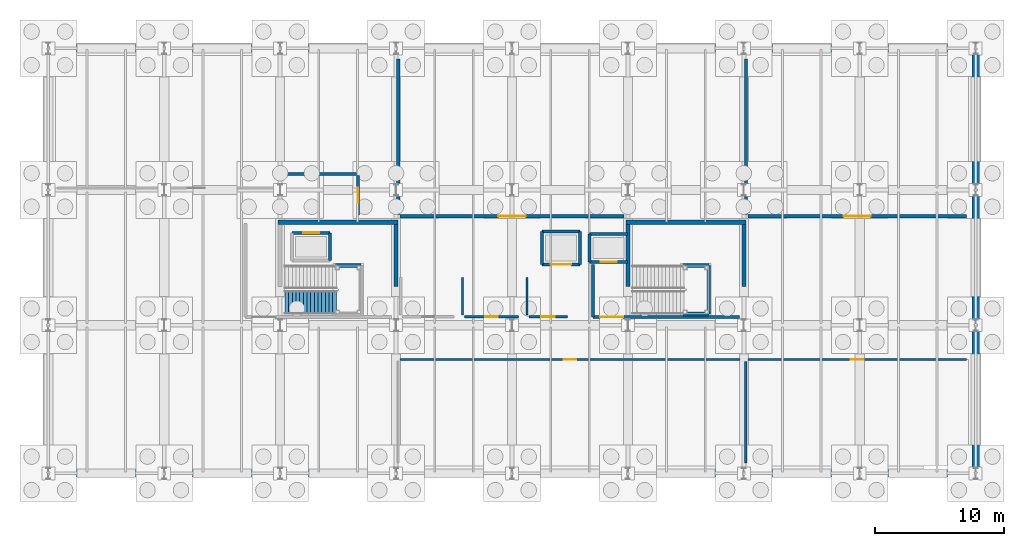
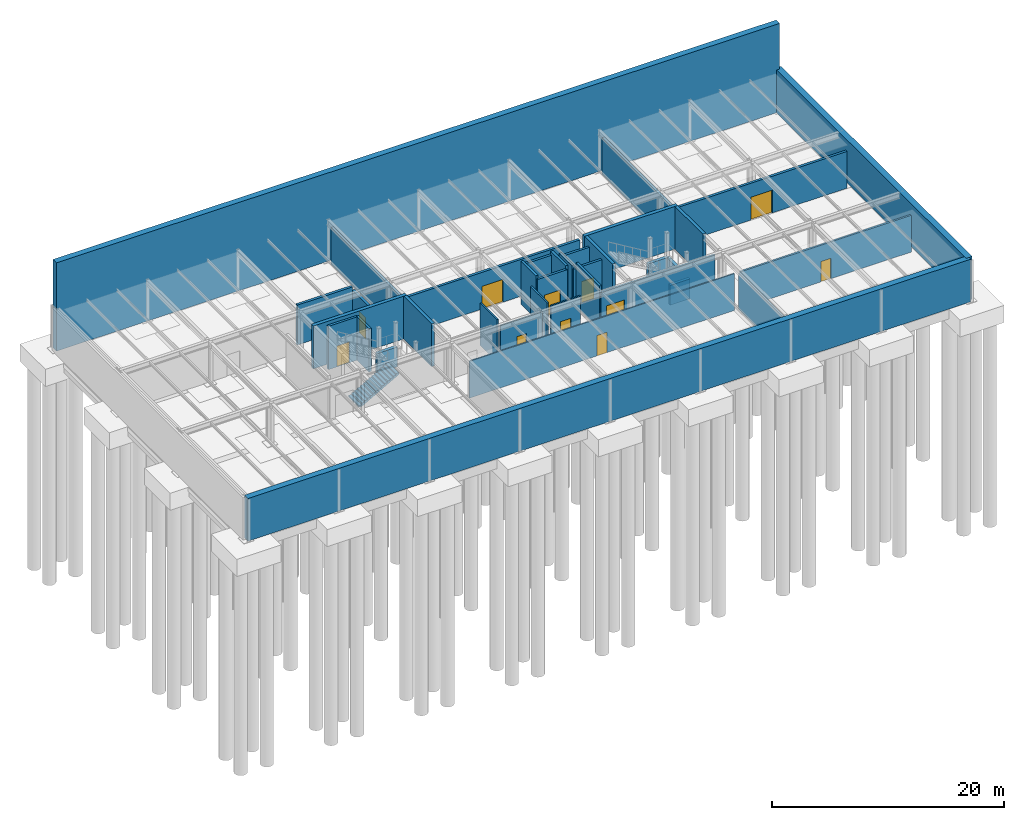
# One storey, part 9 of 19: 36 walls, 11 doors, 1 stair flight, 11 openings, 1 element without a shape of its own.
"""IFC4 building model written with IfcOpenShell, lengths in metres."""

from ifc_helpers import new_model, si_unit, direction, frame, frame_2d, origin, place, context, subcontext, project, spatial, polyline, rectangle, outline, extrude, material, layer, layer_set, type_object, element, fill, aggregate, save


model = new_model("IFC4")

# Units and contexts
model_context = context("Model", 3, precision=1e-05, world=origin(), true_north=direction((0.0, 1.0)))
body_context = subcontext(model_context, "Body", "Model", "MODEL_VIEW")
ifc_project = project(units=[si_unit("LENGTHUNIT", "METRE"), si_unit("AREAUNIT", "SQUARE_METRE"), si_unit("VOLUMEUNIT", "CUBIC_METRE"), si_unit("PLANEANGLEUNIT", "RADIAN"), si_unit("MASSUNIT", "GRAM", prefix="KILO")], contexts=[model_context])

# Site, building, storey
site_placement = place(None, origin())
site = spatial("IfcSite", under=ifc_project, at=site_placement, CompositionType="ELEMENT")
building_placement = place(site_placement, origin())
building = spatial("IfcBuilding", under=site, at=building_placement, Name="Marlcrest Central Station", CompositionType="ELEMENT")
storey_placement = place(building_placement, frame((0.0, 0.0, -4.800048828125)))
storey = spatial("IfcBuildingStorey", under=building, at=storey_placement, Name="B1", CompositionType="ELEMENT", Elevation=-4.800048828125)

# Wall, opening, door
ifc_material_1 = material(Name="Acoustic steel-stud gypsum board partition", Category="steel")
ifc_layer_1 = layer(ifc_material_1, 0.1201171875, Name="PT-01")
ifc_layer_set_1 = layer_set([ifc_layer_1], Name="Acoustic steel-stud gypsum board partition")
wall_type_1 = type_object("IfcWallType", Name="PT-01", PredefinedType="PARTITIONING", material=ifc_layer_set_1)
wall_1_placement = place(storey_placement, frame((27.31005859375, 107.840087890625, 0.0), z_axis=(0.0, 0.0, 1.0), x_axis=(1.0, 0.0, 0.0)))
wall_1 = element("IfcWall", 1, at=wall_1_placement, inside=storey, type_object=wall_type_1, Name="iwall-B1-00006", PredefinedType="PARTITIONING", context=body_context, shape_type="SweptSolid", body=[
    extrude(rectangle(XDim=26.3798828125, YDim=0.1201171875, at=frame_2d((13.18994140625, 0.0))), origin(), (0.0, 0.0, 1.0), 3.8701171875),
])
opening_1_placement = place(wall_1_placement, frame((12.68994140625, 0.0, 0.0)))
opening_1 = element("IfcOpeningElement", 2, at=opening_1_placement, cuts=wall_1, Name="Opening ID-02", PredefinedType="OPENING", context=body_context, shape_type="SweptSolid", body=[
    extrude(rectangle(XDim=1.0, YDim=2.14990234375, at=frame_2d((0.5, 1.074951171875))), frame((0.0, 0.070068359375, 0.0), z_axis=(0.0, -1.0, 0.0), x_axis=(1.0, 0.0, 0.0)), (0.0, 0.0, 1.0), 0.14013671875),
])
ifc_material_2 = material(Name="Solid-core hardwood office door", Category="wood")
door_type_1 = type_object("IfcDoorType", Name="ID-02", OperationType="NOTDEFINED", PredefinedType="DOOR", material=ifc_material_2)
door_1_placement = place(opening_1_placement, origin())
door_1 = element("IfcDoor", 3, at=door_1_placement, inside=storey, type_object=door_type_1, Name="B1-06 0004", OperationType="SINGLE_SWING_LEFT", OverallHeight=2.14990234375, OverallWidth=1.0, PredefinedType="DOOR", context=body_context, shape_type="SweptSolid", body=[
    extrude(rectangle(XDim=1.0, YDim=2.14990234375, at=frame_2d((0.5, 1.074951171875))), frame((0.0, 0.02490234375, 0.0), z_axis=(0.0, -1.0, 0.0), x_axis=(1.0, 0.0, 0.0)), (0.0, 0.0, 1.0), 0.050048828125),
])
fill(opening_1, door_1)

ifc_material_3 = material(Name="Moisture-resistant tiled sanitary partition")
ifc_layer_2 = layer(ifc_material_3, 0.159912109375, Name="PT-03")
ifc_layer_set_2 = layer_set([ifc_layer_2], Name="Moisture-resistant tiled sanitary partition")
wall_type_2 = type_object("IfcWallType", Name="PT-03", PredefinedType="PARTITIONING", material=ifc_layer_set_2)
wall_2_placement = place(storey_placement, frame((36.489990234375, 111.159912109375, 0.0), z_axis=(0.0, 0.0, 1.0), x_axis=(-1.0, 0.0, 0.0)))
wall_2 = element("IfcWall", 4, at=wall_2_placement, inside=storey, type_object=wall_type_2, Name="iwall-B1-00014", PredefinedType="PARTITIONING", context=body_context, shape_type="SweptSolid", body=[
    extrude(rectangle(XDim=4.179931640625, YDim=0.159912109375, at=frame_2d((2.08984375, 0.0))), origin(), (0.0, 0.0, 1.0), 3.8701171875),
])
opening_2_placement = place(wall_2_placement, frame((1.614990234375, 0.0, 0.0)))
opening_2 = element("IfcOpeningElement", 5, at=opening_2_placement, cuts=wall_2, Name="Opening ID-01", PredefinedType="OPENING", context=body_context, shape_type="SweptSolid", body=[
    extrude(rectangle(XDim=0.949951171875, YDim=2.14990234375, at=frame_2d((0.47509765625, 1.074951171875))), frame((0.0, 0.08984375, 0.0), z_axis=(0.0, -1.0, 0.0), x_axis=(1.0, 0.0, 0.0)), (0.0, 0.0, 1.0), 0.179931640625),
])
ifc_material_4 = material(Name="Solid-core hardwood acoustic door", Category="wood")
door_type_2 = type_object("IfcDoorType", Name="ID-01", OperationType="NOTDEFINED", PredefinedType="DOOR", material=ifc_material_4)
door_2_placement = place(opening_2_placement, origin())
door_2 = element("IfcDoor", 6, at=door_2_placement, inside=storey, type_object=door_type_2, Name="B1-WC2 0008", OperationType="SINGLE_SWING_LEFT", OverallHeight=2.14990234375, OverallWidth=0.949951171875, PredefinedType="DOOR", context=body_context, shape_type="SweptSolid", body=[
    extrude(rectangle(XDim=0.949951171875, YDim=2.14990234375, at=frame_2d((0.47509765625, 1.074951171875))), frame((0.0, 0.02490234375, 0.0), z_axis=(0.0, -1.0, 0.0), x_axis=(1.0, 0.0, 0.0)), (0.0, 0.0, 1.0), 0.050048828125),
])
fill(opening_2, door_2)

# Wall
wall_3_placement = place(storey_placement, frame((32.159912109375, 111.31005859375, 0.0), z_axis=(0.0, 0.0, 1.0), x_axis=(0.0, 1.0, 0.0)))
element("IfcWall", 7, at=wall_3_placement, inside=storey, type_object=wall_type_2, Name="iwall-B1-00015", PredefinedType="PARTITIONING", context=body_context, shape_type="SweptSolid", body=[
    extrude(rectangle(XDim=2.8798828125, YDim=0.159912109375, at=frame_2d((1.43994140625, 0.0))), origin(), (0.0, 0.0, 1.0), 4.449951171875),
])

# Wall, opening, door
wall_4_placement = place(storey_placement, frame((40.2900390625, 111.159912109375, 0.0), z_axis=(0.0, 0.0, 1.0), x_axis=(-1.0, 0.0, 0.0)))
wall_4 = element("IfcWall", 8, at=wall_4_placement, inside=storey, type_object=wall_type_2, Name="iwall-B1-00016", PredefinedType="PARTITIONING", context=body_context, shape_type="SweptSolid", body=[
    extrude(rectangle(XDim=2.97998046875, YDim=0.159912109375, at=frame_2d((1.489990234375, 0.0))), origin(), (0.0, 0.0, 1.0), 4.199951171875),
])
opening_3_placement = place(wall_4_placement, frame((0.965087890625, 0.0, 0.0)))
opening_3 = element("IfcOpeningElement", 9, at=opening_3_placement, cuts=wall_4, Name="Opening ID-03", PredefinedType="OPENING", context=body_context, shape_type="SweptSolid", body=[
    extrude(rectangle(XDim=1.050048828125, YDim=2.199951171875, at=frame_2d((0.52490234375, 1.10009765625))), frame((0.0, 0.08984375, 0.0), z_axis=(0.0, -1.0, 0.0), x_axis=(1.0, 0.0, 0.0)), (0.0, 0.0, 1.0), 0.179931640625),
])
ifc_material_5 = material(Name="Accessible sanitary outward-opening door")
door_type_3 = type_object("IfcDoorType", Name="ID-03", OperationType="NOTDEFINED", PredefinedType="DOOR", material=ifc_material_5)
door_3_placement = place(opening_3_placement, origin())
door_3 = element("IfcDoor", 10, at=door_3_placement, inside=storey, type_object=door_type_3, Name="B1-WCA 0009", OperationType="SINGLE_SWING_RIGHT", OverallHeight=2.199951171875, OverallWidth=1.050048828125, PredefinedType="DOOR", context=body_context, shape_type="SweptSolid", body=[
    extrude(rectangle(XDim=1.050048828125, YDim=2.199951171875, at=frame_2d((0.52490234375, 1.10009765625))), frame((0.0, 0.02490234375, 0.0), z_axis=(0.0, -1.0, 0.0), x_axis=(1.0, 0.0, 0.0)), (0.0, 0.0, 1.0), 0.050048828125),
])
fill(opening_3, door_3)

# Wall
wall_5_placement = place(storey_placement, frame((37.159912109375, 111.31005859375, 0.0), z_axis=(0.0, 0.0, 1.0), x_axis=(0.0, 1.0, 0.0)))
element("IfcWall", 11, at=wall_5_placement, inside=storey, type_object=wall_type_2, Name="iwall-B1-00017", PredefinedType="PARTITIONING", context=body_context, shape_type="SweptSolid", body=[
    extrude(rectangle(XDim=2.8798828125, YDim=0.159912109375, at=frame_2d((1.43994140625, 0.0))), origin(), (0.0, 0.0, 1.0), 4.449951171875),
])

# Wall, opening, door
ifc_material_6 = material(Name="Fire-rated corridor blockwork partition", Category="masonry")
ifc_layer_3 = layer(ifc_material_6, 0.179931640625, Name="PT-04")
ifc_layer_set_3 = layer_set([ifc_layer_3], Name="Fire-rated corridor blockwork partition")
wall_type_3 = type_object("IfcWallType", Name="PT-04", PredefinedType="PARTITIONING", material=ifc_layer_set_3)
wall_6_placement = place(storey_placement, frame((54.31005859375, 107.840087890625, 0.0), z_axis=(0.0, 0.0, 1.0), x_axis=(1.0, 0.0, 0.0)))
wall_6 = element("IfcWall", 12, at=wall_6_placement, inside=storey, type_object=wall_type_3, Name="iwall-B1-00008", PredefinedType="PARTITIONING", context=body_context, shape_type="SweptSolid", body=[
    extrude(rectangle(XDim=16.97998046875, YDim=0.179931640625, at=frame_2d((8.489990234375, 0.0))), origin(), (0.0, 0.0, 1.0), 3.8701171875),
])
opening_4_placement = place(wall_6_placement, frame((7.989990234375, 0.0, 0.0)))
opening_4 = element("IfcOpeningElement", 13, at=opening_4_placement, cuts=wall_6, Name="Opening ID-02", PredefinedType="OPENING", context=body_context, shape_type="SweptSolid", body=[
    extrude(rectangle(XDim=1.0, YDim=2.14990234375, at=frame_2d((0.5, 1.074951171875))), frame((0.0, 0.099853515625, 0.0), z_axis=(0.0, -1.0, 0.0), x_axis=(1.0, 0.0, 0.0)), (0.0, 0.0, 1.0), 0.199951171875),
])
door_4_placement = place(opening_4_placement, origin())
door_4 = element("IfcDoor", 14, at=door_4_placement, inside=storey, type_object=door_type_1, Name="B1-07 0005", OperationType="SINGLE_SWING_RIGHT", OverallHeight=2.14990234375, OverallWidth=1.0, PredefinedType="DOOR", context=body_context, shape_type="SweptSolid", body=[
    extrude(rectangle(XDim=1.0, YDim=2.14990234375, at=frame_2d((0.5, 1.074951171875))), frame((0.0, 0.02490234375, 0.0), z_axis=(0.0, -1.0, 0.0), x_axis=(1.0, 0.0, 0.0)), (0.0, 0.0, 1.0), 0.050048828125),
])
fill(opening_4, door_4)

# Walls
wall_7_placement = place(storey_placement, frame((54.159912109375, 99.81005859375, 0.0), z_axis=(0.0, 0.0, 1.0), x_axis=(0.0, 1.0, 0.0)))
element("IfcWall", 15, at=wall_7_placement, inside=storey, type_object=wall_type_3, Name="iwall-B1-00009", PredefinedType="PARTITIONING", context=body_context, shape_type="SweptSolid", body=[
    extrude(rectangle(XDim=7.8798828125, YDim=0.179931640625, at=frame_2d((3.93994140625, 0.0))), origin(), (0.0, 0.0, 1.0), 3.8701171875),
])
ifc_material_7 = material(Name="Concrete C40/50", Category="concrete")
ifc_layer_4 = layer(ifc_material_7, 0.60009765625, Name="RW-04")
ifc_layer_set_4 = layer_set([ifc_layer_4], Name="Concrete C40/50")
wall_type_4 = type_object("IfcWallType", Name="RW-04", PredefinedType="USERDEFINED", material=ifc_layer_set_4)
wall_8_placement = place(storey_placement, frame((0.0, 99.0, 0.0), z_axis=(0.0, 0.0, 1.0), x_axis=(1.0, 0.0, 0.0)))
element("IfcWall", 16, at=wall_8_placement, inside=storey, type_object=wall_type_4, Name="swall-B1-0001", ObjectType="RETAINING_WALL", PredefinedType="USERDEFINED", context=body_context, shape_type="SweptSolid", body=[
    extrude(rectangle(XDim=72.0, YDim=0.60009765625, at=frame_2d((36.0, 0.0))), origin(), (0.0, 0.0, 1.0), 4.5),
])
wall_9_placement = place(storey_placement, frame((72.0, 99.0, 0.0), z_axis=(0.0, 0.0, 1.0), x_axis=(0.0, 1.0, 0.0)))
element("IfcWall", 17, at=wall_9_placement, inside=storey, type_object=wall_type_4, Name="swall-B1-0002", ObjectType="RETAINING_WALL", PredefinedType="USERDEFINED", context=body_context, shape_type="SweptSolid", body=[
    extrude(rectangle(XDim=33.0, YDim=0.60009765625, at=frame_2d((16.5, 0.0))), origin(), (0.0, 0.0, 1.0), 4.5),
])
wall_10_placement = place(storey_placement, frame((72.0, 132.0, 0.0), z_axis=(0.0, 0.0, 1.0), x_axis=(-1.0, 0.0, 0.0)))
element("IfcWall", 18, at=wall_10_placement, inside=storey, type_object=wall_type_4, Name="swall-B1-0003", ObjectType="RETAINING_WALL", PredefinedType="USERDEFINED", context=body_context, shape_type="SweptSolid", body=[
    extrude(rectangle(XDim=72.0, YDim=0.60009765625, at=frame_2d((36.0, 0.0))), origin(), (0.0, 0.0, 1.0), 9.300048828125),
])

# Wall, opening, door
ifc_layer_5 = layer(ifc_material_7, 0.22998046875, Name="SHW-01")
ifc_layer_set_5 = layer_set([ifc_layer_5], Name="Concrete C40/50")
wall_type_5 = type_object("IfcWallType", Name="SHW-01", PredefinedType="SOLIDWALL", material=ifc_layer_set_5)
wall_11_placement = place(storey_placement, frame((18.919921875, 117.679931640625, 0.0), z_axis=(0.0, 0.0, 1.0), x_axis=(1.0, 0.0, 0.0)))
wall_11 = element("IfcWall", 19, at=wall_11_placement, inside=storey, type_object=wall_type_5, Name="iwall-B1-00343", PredefinedType="SOLIDWALL", context=body_context, shape_type="SweptSolid", body=[
    extrude(rectangle(XDim=2.9599609375, YDim=0.22998046875, at=frame_2d((1.47998046875, 0.0))), origin(), (0.0, 0.0, 1.0), 4.56005859375),
])
opening_5_placement = place(wall_11_placement, frame((0.85498046875, 0.0, 0.0)))
opening_5 = element("IfcOpeningElement", 20, at=opening_5_placement, cuts=wall_11, Name="Opening LD-02", PredefinedType="OPENING", context=body_context, shape_type="SweptSolid", body=[
    extrude(rectangle(XDim=1.25, YDim=2.199951171875, at=frame_2d((0.625, 1.10009765625))), frame((0.0, 0.125, 0.0), z_axis=(0.0, -1.0, 0.0), x_axis=(1.0, 0.0, 0.0)), (0.0, 0.0, 1.0), 0.25),
])
ifc_material_8 = material(Name="Stainless steel stretcher/firefighting lift landing door", Category="steel")
door_type_4 = type_object("IfcDoorType", Name="LD-02", OperationType="DOUBLE_DOOR_SLIDING", PredefinedType="DOOR", material=ifc_material_8)
door_5_placement = place(opening_5_placement, origin())
door_5 = element("IfcDoor", 21, at=door_5_placement, inside=storey, type_object=door_type_4, Name="LF-FF1 Lift Landing Door 0156", OperationType="DOUBLE_DOOR_SLIDING", OverallHeight=2.199951171875, OverallWidth=1.25, PredefinedType="DOOR", context=body_context, shape_type="SweptSolid", body=[
    extrude(rectangle(XDim=1.25, YDim=2.199951171875, at=frame_2d((0.625, 1.10009765625))), frame((0.0, 0.02490234375, 0.0), z_axis=(0.0, -1.0, 0.0), x_axis=(1.0, 0.0, 0.0)), (0.0, 0.0, 1.0), 0.050048828125),
])
fill(opening_5, door_5)

# Walls
wall_12_placement = place(storey_placement, frame((21.8798828125, 117.679931640625, 0.0), z_axis=(0.0, 0.0, 1.0), x_axis=(0.0, -1.0, 0.0)))
element("IfcWall", 22, at=wall_12_placement, inside=storey, type_object=wall_type_5, Name="iwall-B1-00346", PredefinedType="SOLIDWALL", context=body_context, shape_type="SweptSolid", body=[
    extrude(rectangle(XDim=2.159912109375, YDim=0.22998046875, at=frame_2d((1.080078125, 0.0))), origin(), (0.0, 0.0, 1.0), 4.56005859375),
])
wall_13_placement = place(storey_placement, frame((42.02001953125, 117.580078125, 0.0), z_axis=(0.0, 0.0, 1.0), x_axis=(1.0, 0.0, 0.0)))
element("IfcWall", 23, at=wall_13_placement, inside=storey, type_object=wall_type_5, Name="iwall-B1-00371", PredefinedType="SOLIDWALL", context=body_context, shape_type="SweptSolid", body=[
    extrude(rectangle(XDim=2.9599609375, YDim=0.22998046875, at=frame_2d((1.47998046875, 0.0))), origin(), (0.0, 0.0, 1.0), 3.8701171875),
])

# Wall, opening, door
wall_14_placement = place(storey_placement, frame((44.97998046875, 115.419921875, 0.0), z_axis=(0.0, 0.0, 1.0), x_axis=(-1.0, 0.0, 0.0)))
wall_14 = element("IfcWall", 24, at=wall_14_placement, inside=storey, type_object=wall_type_5, Name="iwall-B1-00372", PredefinedType="SOLIDWALL", context=body_context, shape_type="SweptSolid", body=[
    extrude(rectangle(XDim=2.9599609375, YDim=0.22998046875, at=frame_2d((1.47998046875, 0.0))), origin(), (0.0, 0.0, 1.0), 3.8701171875),
])
opening_6_placement = place(wall_14_placement, frame((0.85498046875, 0.0, 0.0)))
opening_6 = element("IfcOpeningElement", 25, at=opening_6_placement, cuts=wall_14, Name="Opening LD-02", PredefinedType="OPENING", context=body_context, shape_type="SweptSolid", body=[
    extrude(rectangle(XDim=1.25, YDim=2.199951171875, at=frame_2d((0.625, 1.10009765625))), frame((0.0, 0.125, 0.0), z_axis=(0.0, -1.0, 0.0), x_axis=(1.0, 0.0, 0.0)), (0.0, 0.0, 1.0), 0.25),
])
door_6_placement = place(opening_6_placement, origin())
door_6 = element("IfcDoor", 26, at=door_6_placement, inside=storey, type_object=door_type_4, Name="LF-O1 Lift Landing Door 0163", OperationType="DOUBLE_DOOR_SLIDING", OverallHeight=2.199951171875, OverallWidth=1.25, PredefinedType="DOOR", context=body_context, shape_type="SweptSolid", body=[
    extrude(rectangle(XDim=1.25, YDim=2.199951171875, at=frame_2d((0.625, 1.10009765625))), frame((0.0, 0.02490234375, 0.0), z_axis=(0.0, -1.0, 0.0), x_axis=(1.0, 0.0, 0.0)), (0.0, 0.0, 1.0), 0.050048828125),
])
fill(opening_6, door_6)

# Walls
wall_15_placement = place(storey_placement, frame((42.02001953125, 115.419921875, 0.0), z_axis=(0.0, 0.0, 1.0), x_axis=(0.0, 1.0, 0.0)))
element("IfcWall", 27, at=wall_15_placement, inside=storey, type_object=wall_type_5, Name="iwall-B1-00373", PredefinedType="SOLIDWALL", context=body_context, shape_type="SweptSolid", body=[
    extrude(rectangle(XDim=2.16015625, YDim=0.22998046875, at=frame_2d((1.080078125, 0.0))), origin(), (0.0, 0.0, 1.0), 4.199951171875),
])
wall_16_placement = place(storey_placement, frame((38.320068359375, 117.780029296875, 0.0), z_axis=(0.0, 0.0, 1.0), x_axis=(1.0, 0.0, 0.0)))
element("IfcWall", 28, at=wall_16_placement, inside=storey, type_object=wall_type_5, Name="iwall-B1-00392", PredefinedType="SOLIDWALL", context=body_context, shape_type="SweptSolid", body=[
    extrude(rectangle(XDim=2.9599609375, YDim=0.22998046875, at=frame_2d((1.47998046875, 0.0))), origin(), (0.0, 0.0, 1.0), 4.199951171875),
])

# Wall, opening, door
wall_17_placement = place(storey_placement, frame((41.280029296875, 115.219970703125, 0.0), z_axis=(0.0, 0.0, 1.0), x_axis=(-1.0, 0.0, 0.0)))
wall_17 = element("IfcWall", 29, at=wall_17_placement, inside=storey, type_object=wall_type_5, Name="iwall-B1-00393", PredefinedType="SOLIDWALL", context=body_context, shape_type="SweptSolid", body=[
    extrude(rectangle(XDim=2.9599609375, YDim=0.22998046875, at=frame_2d((1.47998046875, 0.0))), origin(), (0.0, 0.0, 1.0), 4.199951171875),
])
opening_7_placement = place(wall_17_placement, frame((0.679931640625, 0.0, 0.0)))
opening_7 = element("IfcOpeningElement", 30, at=opening_7_placement, cuts=wall_17, Name="Opening LD-03", PredefinedType="OPENING", context=body_context, shape_type="SweptSolid", body=[
    extrude(rectangle(XDim=1.60009765625, YDim=2.300048828125, at=frame_2d((0.800048828125, 1.14990234375))), frame((0.0, 0.125, 0.0), z_axis=(0.0, -1.0, 0.0), x_axis=(1.0, 0.0, 0.0)), (0.0, 0.0, 1.0), 0.25),
])
ifc_material_9 = material(Name="Heavy-duty goods lift sliding landing door")
door_type_5 = type_object("IfcDoorType", Name="LD-03", OperationType="DOUBLE_DOOR_SLIDING", PredefinedType="DOOR", material=ifc_material_9)
door_7_placement = place(opening_7_placement, origin())
door_7 = element("IfcDoor", 31, at=door_7_placement, inside=storey, type_object=door_type_5, Name="LF-G1 Lift Landing Door 0170", OperationType="DOUBLE_DOOR_SLIDING", OverallHeight=2.300048828125, OverallWidth=1.60009765625, PredefinedType="DOOR", context=body_context, shape_type="SweptSolid", body=[
    extrude(rectangle(XDim=1.60009765625, YDim=2.300048828125, at=frame_2d((0.800048828125, 1.14990234375))), frame((0.0, 0.02490234375, 0.0), z_axis=(0.0, -1.0, 0.0), x_axis=(1.0, 0.0, 0.0)), (0.0, 0.0, 1.0), 0.050048828125),
])
fill(opening_7, door_7)

# Walls
for number, where, z_axis, x_axis, name in (
    (32, (38.320068359375, 115.219970703125, 0.0), (0.0, 0.0, 1.0), (0.0, 1.0, 0.0), "iwall-B1-00394"),
    (33, (41.280029296875, 117.780029296875, 0.0), (0.0, 0.0, 1.0), (0.0, -1.0, 0.0), "iwall-B1-00395"),
):
    element("IfcWall", number, at=place(storey_placement, frame(where, z_axis=z_axis, x_axis=x_axis)), inside=storey, type_object=wall_type_5, Name=name, PredefinedType="SOLIDWALL", context=body_context, shape_type="SweptSolid", body=[
        extrude(rectangle(XDim=2.56005859375, YDim=0.22998046875, at=frame_2d((1.280029296875, 0.0))), origin(), (0.0, 0.0, 1.0), 4.56005859375),
    ])

# Wall, opening, door
wall_18_placement = place(storey_placement, frame((42.300048828125, 111.14990234375, 0.0), z_axis=(0.0, 0.0, 1.0), x_axis=(1.0, 0.0, 0.0)))
wall_18 = element("IfcWall", 34, at=wall_18_placement, inside=storey, type_object=wall_type_5, Name="iwall-B1-00427", PredefinedType="SOLIDWALL", context=body_context, shape_type="SweptSolid", body=[
    extrude(rectangle(XDim=11.349853515625, YDim=0.22998046875, at=frame_2d((5.6748046875, 0.0))), origin(), (0.0, 0.0, 1.0), 3.8701171875),
])
opening_8_placement = place(wall_18_placement, frame((0.550048828125, 0.0, 0.0)))
opening_8 = element("IfcOpeningElement", 35, at=opening_8_placement, cuts=wall_18, Name="Opening FD-90D", PredefinedType="OPENING", context=body_context, shape_type="SweptSolid", body=[
    extrude(rectangle(XDim=1.800048828125, YDim=2.300048828125, at=frame_2d((0.89990234375, 1.14990234375))), frame((0.0, 0.125, 0.0), z_axis=(0.0, -1.0, 0.0), x_axis=(1.0, 0.0, 0.0)), (0.0, 0.0, 1.0), 0.25),
])
ifc_material_10 = material(Name="90-minute double exit-stair fire door")
door_type_6 = type_object("IfcDoorType", Name="FD-90D", OperationType="DOUBLE_DOOR_SINGLE_SWING", PredefinedType="DOOR", material=ifc_material_10)
door_8_placement = place(opening_8_placement, origin())
door_8 = element("IfcDoor", 36, at=door_8_placement, inside=storey, type_object=door_type_6, Name="ST-W2B Stair Door 0183", OperationType="DOUBLE_DOOR_SINGLE_SWING", OverallHeight=2.300048828125, OverallWidth=1.800048828125, PredefinedType="DOOR", context=body_context, shape_type="SweptSolid", body=[
    extrude(rectangle(XDim=1.800048828125, YDim=2.300048828125, at=frame_2d((0.89990234375, 1.14990234375))), frame((0.0, 0.02490234375, 0.0), z_axis=(0.0, -1.0, 0.0), x_axis=(1.0, 0.0, 0.0)), (0.0, 0.0, 1.0), 0.050048828125),
])
fill(opening_8, door_8)

# Wall
wall_19_placement = place(storey_placement, frame((42.300048828125, 111.14990234375, 0.0), z_axis=(0.0, 0.0, 1.0), x_axis=(0.0, 1.0, 0.0)))
element("IfcWall", 37, at=wall_19_placement, inside=storey, type_object=wall_type_5, Name="iwall-B1-00428", PredefinedType="SOLIDWALL", context=body_context, shape_type="SweptSolid", body=[
    extrude(rectangle(XDim=4.050048828125, YDim=0.22998046875, at=frame_2d((2.02490234375, 0.0))), origin(), (0.0, 0.0, 1.0), 4.550048828125),
])

# Wall, opening, door
ifc_layer_6 = layer(ifc_material_7, 0.25, Name="SHW-02")
ifc_layer_set_6 = layer_set([ifc_layer_6], Name="Concrete C40/50")
wall_type_6 = type_object("IfcWallType", Name="SHW-02", PredefinedType="SOLIDWALL", material=ifc_layer_set_6)
wall_20_placement = place(storey_placement, frame((44.68994140625, 118.9599609375, 0.0), z_axis=(0.0, 0.0, 1.0), x_axis=(-1.0, 0.0, 0.0)))
wall_20 = element("IfcWall", 38, at=wall_20_placement, inside=storey, type_object=wall_type_6, Name="iwall-B1-00002", PredefinedType="SOLIDWALL", context=body_context, shape_type="SweptSolid", body=[
    extrude(rectangle(XDim=17.3798828125, YDim=0.25, at=frame_2d((8.68994140625, 0.0))), origin(), (0.0, 0.0, 1.0), 3.8701171875),
])
opening_9_placement = place(wall_20_placement, frame((7.639892578125, 0.0, 0.0)))
opening_9 = element("IfcOpeningElement", 39, at=opening_9_placement, cuts=wall_20, Name="Opening FD-120D", PredefinedType="OPENING", context=body_context, shape_type="SweptSolid", body=[
    extrude(rectangle(XDim=2.10009765625, YDim=2.39990234375, at=frame_2d((1.050048828125, 1.199951171875))), frame((0.0, 0.135009765625, 0.0), z_axis=(0.0, -1.0, 0.0), x_axis=(1.0, 0.0, 0.0)), (0.0, 0.0, 1.0), 0.27001953125),
])
ifc_material_11 = material(Name="Double 120-minute substation fire door")
door_type_7 = type_object("IfcDoorType", Name="FD-120D", OperationType="DOUBLE_DOOR_SINGLE_SWING", PredefinedType="DOOR", material=ifc_material_11)
door_9_placement = place(opening_9_placement, origin())
door_9 = element("IfcDoor", 40, at=door_9_placement, inside=storey, type_object=door_type_7, Name="B1-04 0002", OperationType="DOUBLE_DOOR_SINGLE_SWING", OverallHeight=2.39990234375, OverallWidth=2.10009765625, PredefinedType="DOOR", context=body_context, shape_type="SweptSolid", body=[
    extrude(rectangle(XDim=2.10009765625, YDim=2.39990234375, at=frame_2d((1.050048828125, 1.199951171875))), frame((0.0, 0.02490234375, 0.0), z_axis=(0.0, -1.0, 0.0), x_axis=(1.0, 0.0, 0.0)), (0.0, 0.0, 1.0), 0.050048828125),
])
fill(opening_9, door_9)

# Wall
wall_21_placement = place(storey_placement, frame((27.159912109375, 119.110107421875, 0.0), z_axis=(0.0, 0.0, 1.0), x_axis=(0.0, 1.0, 0.0)))
element("IfcWall", 41, at=wall_21_placement, inside=storey, type_object=wall_type_6, Name="iwall-B1-00003", PredefinedType="SOLIDWALL", context=body_context, shape_type="SweptSolid", body=[
    extrude(rectangle(XDim=12.079833984375, YDim=0.25, at=frame_2d((6.0400390625, 0.0))), origin(), (0.0, 0.0, 1.0), 3.8701171875),
])

# Wall, opening, door
wall_22_placement = place(storey_placement, frame((71.2900390625, 118.9599609375, 0.0), z_axis=(0.0, 0.0, 1.0), x_axis=(-1.0, 0.0, 0.0)))
wall_22 = element("IfcWall", 42, at=wall_22_placement, inside=storey, type_object=wall_type_6, Name="iwall-B1-00004", PredefinedType="SOLIDWALL", context=body_context, shape_type="SweptSolid", body=[
    extrude(rectangle(XDim=16.97998046875, YDim=0.25, at=frame_2d((8.489990234375, 0.0))), origin(), (0.0, 0.0, 1.0), 3.8701171875),
])
opening_10_placement = place(wall_22_placement, frame((7.43994140625, 0.0, 0.0)))
opening_10 = element("IfcOpeningElement", 43, at=opening_10_placement, cuts=wall_22, Name="Opening FD-120D", PredefinedType="OPENING", context=body_context, shape_type="SweptSolid", body=[
    extrude(rectangle(XDim=2.10009765625, YDim=2.39990234375, at=frame_2d((1.050048828125, 1.199951171875))), frame((0.0, 0.135009765625, 0.0), z_axis=(0.0, -1.0, 0.0), x_axis=(1.0, 0.0, 0.0)), (0.0, 0.0, 1.0), 0.27001953125),
])
door_10_placement = place(opening_10_placement, origin())
door_10 = element("IfcDoor", 44, at=door_10_placement, inside=storey, type_object=door_type_7, Name="B1-05 0003", OperationType="DOUBLE_DOOR_SINGLE_SWING", OverallHeight=2.39990234375, OverallWidth=2.10009765625, PredefinedType="DOOR", context=body_context, shape_type="SweptSolid", body=[
    extrude(rectangle(XDim=2.10009765625, YDim=2.39990234375, at=frame_2d((1.050048828125, 1.199951171875))), frame((0.0, 0.02490234375, 0.0), z_axis=(0.0, -1.0, 0.0), x_axis=(1.0, 0.0, 0.0)), (0.0, 0.0, 1.0), 0.050048828125),
])
fill(opening_10, door_10)

# Wall
wall_23_placement = place(storey_placement, frame((54.159912109375, 119.110107421875, 0.0), z_axis=(0.0, 0.0, 1.0), x_axis=(0.0, 1.0, 0.0)))
element("IfcWall", 45, at=wall_23_placement, inside=storey, type_object=wall_type_6, Name="iwall-B1-00005", PredefinedType="SOLIDWALL", context=body_context, shape_type="SweptSolid", body=[
    extrude(rectangle(XDim=12.079833984375, YDim=0.25, at=frame_2d((6.0400390625, 0.0))), origin(), (0.0, 0.0, 1.0), 3.8701171875),
])

# Wall, opening, door
wall_24_placement = place(storey_placement, frame((24.0400390625, 119.06005859375, 0.0), z_axis=(0.0, 0.0, 1.0), x_axis=(0.0, 1.0, 0.0)))
wall_24 = element("IfcWall", 46, at=wall_24_placement, inside=storey, type_object=wall_type_6, Name="iwall-B1-00010", PredefinedType="SOLIDWALL", context=body_context, shape_type="SweptSolid", body=[
    extrude(rectangle(XDim=3.079833984375, YDim=0.25, at=frame_2d((1.5400390625, 0.0))), origin(), (0.0, 0.0, 1.0), 3.8701171875),
])
opening_11_placement = place(wall_24_placement, frame((0.965087890625, 0.0, 0.0)))
opening_11 = element("IfcOpeningElement", 47, at=opening_11_placement, cuts=wall_24, Name="Opening FD-90", PredefinedType="OPENING", context=body_context, shape_type="SweptSolid", body=[
    extrude(rectangle(XDim=1.14990234375, YDim=2.199951171875, at=frame_2d((0.574951171875, 1.10009765625))), frame((0.0, 0.135009765625, 0.0), z_axis=(0.0, -1.0, 0.0), x_axis=(1.0, 0.0, 0.0)), (0.0, 0.0, 1.0), 0.27001953125),
])
ifc_material_12 = material(Name="90-minute stair and firefighting-lobby fire door")
door_type_8 = type_object("IfcDoorType", Name="FD-90", OperationType="NOTDEFINED", PredefinedType="DOOR", material=ifc_material_12)
door_11_placement = place(opening_11_placement, origin())
door_11 = element("IfcDoor", 48, at=door_11_placement, inside=storey, type_object=door_type_8, Name="B1-FFL 0006", OperationType="SINGLE_SWING_LEFT", OverallHeight=2.199951171875, OverallWidth=1.14990234375, PredefinedType="DOOR", context=body_context, shape_type="SweptSolid", body=[
    extrude(rectangle(XDim=1.14990234375, YDim=2.199951171875, at=frame_2d((0.574951171875, 1.10009765625))), frame((0.0, 0.02490234375, 0.0), z_axis=(0.0, -1.0, 0.0), x_axis=(1.0, 0.0, 0.0)), (0.0, 0.0, 1.0), 0.050048828125),
])
fill(opening_11, door_11)

# Walls
wall_25_placement = place(storey_placement, frame((18.4599609375, 122.239990234375, 0.0), z_axis=(0.0, 0.0, 1.0), x_axis=(1.0, 0.0, 0.0)))
element("IfcWall", 49, at=wall_25_placement, inside=storey, type_object=wall_type_6, Name="iwall-B1-00011", PredefinedType="SOLIDWALL", context=body_context, shape_type="SweptSolid", body=[
    extrude(rectangle(XDim=5.47998046875, YDim=0.25, at=frame_2d((2.739990234375, 0.0))), origin(), (0.0, 0.0, 1.0), 4.199951171875),
])
ifc_material_13 = material(Name="Concrete C50/60", Category="concrete")
ifc_layer_7 = layer(ifc_material_13, 0.35009765625, Name="SW-01")
ifc_layer_set_7 = layer_set([ifc_layer_7], Name="Concrete C50/60")
wall_type_7 = type_object("IfcWallType", Name="SW-01", PredefinedType="SHEAR", material=ifc_layer_set_7)
for number, where, z_axis, x_axis, name in (
    (50, (17.85009765625, 118.5, 0.0), (0.0, 0.0, 1.0), (1.0, 0.0, 0.0), "swall-B1-0005"),
    (51, (44.85009765625, 118.5, 0.0), (0.0, 0.0, 1.0), (1.0, 0.0, 0.0), "swall-B1-0008"),
):
    element("IfcWall", number, at=place(storey_placement, frame(where, z_axis=z_axis, x_axis=x_axis)), inside=storey, type_object=wall_type_7, Name=name, PredefinedType="SHEAR", context=body_context, shape_type="SweptSolid", body=[
        extrude(rectangle(XDim=9.2998046875, YDim=0.35009765625, at=frame_2d((4.64990234375, 0.0))), origin(), (0.0, 0.0, 1.0), 4.5),
    ])
ifc_layer_8 = layer(ifc_material_13, 0.300048828125, Name="SW-02")
ifc_layer_set_8 = layer_set([ifc_layer_8], Name="Concrete C50/60")
wall_type_8 = type_object("IfcWallType", Name="SW-02", PredefinedType="SHEAR", material=ifc_layer_set_8)
for number, where, z_axis, x_axis, name in (
    (52, (27.0, 113.5, 0.0), (0.0, 0.0, 1.0), (0.0, 1.0, 0.0), "swall-B1-0007"),
    (53, (45.0, 113.5, 0.0), (0.0, 0.0, 1.0), (0.0, 1.0, 0.0), "swall-B1-0009"),
    (54, (54.0, 113.5, 0.0), (0.0, 0.0, 1.0), (0.0, 1.0, 0.0), "swall-B1-0010"),
):
    element("IfcWall", number, at=place(storey_placement, frame(where, z_axis=z_axis, x_axis=x_axis)), inside=storey, type_object=wall_type_8, Name=name, PredefinedType="SHEAR", context=body_context, shape_type="SweptSolid", body=[
        extrude(rectangle(XDim=4.824951171875, YDim=0.300048828125, at=frame_2d((2.41259765625, 0.0))), origin(), (0.0, 0.0, 1.0), 4.5),
    ])
for number, where, z_axis, x_axis, name in (
    (55, (24.280029296875, 115.1298828125, 0.0), (0.0, 0.0, 1.0), (-1.0, 0.0, 0.0), "htsw-lo-0042-N"),
    (56, (49.280029296875, 111.3701171875, 0.0), (0.0, 0.0, 1.0), (1.0, 0.0, 0.0), "htsw-lo-0043-S"),
):
    element("IfcWall", number, at=place(storey_placement, frame(where, z_axis=z_axis, x_axis=x_axis)), inside=storey, type_object=wall_type_8, Name=name, PredefinedType="SHEAR", context=body_context, shape_type="SweptSolid", body=[
        extrude(rectangle(XDim=2.0, YDim=0.300048828125, at=frame_2d((1.0, 0.0))), origin(), (0.0, 0.0, 1.0), 2.080078125),
    ])
wall_26_placement = place(storey_placement, frame((51.280029296875, 111.3701171875, 0.0), z_axis=(0.0, 0.0, 1.0), x_axis=(0.0, 1.0, 0.0)))
element("IfcWall", 57, at=wall_26_placement, inside=storey, type_object=wall_type_8, Name="htsw-lo-0043-E", PredefinedType="SHEAR", context=body_context, shape_type="SweptSolid", body=[
    extrude(rectangle(XDim=3.759765625, YDim=0.300048828125, at=frame_2d((1.8798828125, 0.0))), origin(), (0.0, 0.0, 1.0), 2.080078125),
])
wall_27_placement = place(storey_placement, frame((51.280029296875, 115.1298828125, 0.0), z_axis=(0.0, 0.0, 1.0), x_axis=(-1.0, 0.0, 0.0)))
element("IfcWall", 58, at=wall_27_placement, inside=storey, type_object=wall_type_8, Name="htsw-lo-0043-N", PredefinedType="SHEAR", context=body_context, shape_type="SweptSolid", body=[
    extrude(rectangle(XDim=2.0, YDim=0.300048828125, at=frame_2d((1.0, 0.0))), origin(), (0.0, 0.0, 1.0), 2.080078125),
])

# Stair, stair flight
ifc_material_14 = material(Name="Concrete C35/45", Category="concrete")
stair_type = type_object("IfcStairType", Name="ST-HTS", PredefinedType="HALF_TURN_STAIR", material=ifc_material_14)
stair_placement = place(storey_placement, origin())
stair = element("IfcStair", 59, at=stair_placement, inside=storey, type_object=stair_type, Name="ST-W1B", PredefinedType="HALF_TURN_STAIR")
stair_flight_type = type_object("IfcStairFlightType", Name="SF-180", PredefinedType="STRAIGHT", material=ifc_material_14)
stair_flight_placement = place(storey_placement, frame((18.3701171875, 112.27001953125, 0.0), z_axis=(0.0, 0.0, 1.0), x_axis=(1.0, 0.0, 0.0)))
stair_flight = element("IfcStairFlight", 60, at=stair_flight_placement, type_object=stair_flight_type, Name="ST-W1B-F1", NumberOfRisers=15, NumberOfTreads=14, PredefinedType="STRAIGHT", RiserHeight=0.16, TreadLength=0.285, context=body_context, shape_type="SweptSolid", body=[
    extrude(outline(polyline([(0.0, 0.0), (0.0, 0.159912109375), (0.284912109375, 0.159912109375), (0.284912109375, 0.320068359375), (0.570068359375, 0.320068359375), (0.570068359375, 0.47998046875), (0.85498046875, 0.47998046875), (0.85498046875, 0.639892578125), (1.139892578125, 0.639892578125), (1.139892578125, 0.800048828125), (1.425048828125, 0.800048828125), (1.425048828125, 0.9599609375), (1.7099609375, 0.9599609375), (1.7099609375, 1.1201171875), (1.9951171875, 1.1201171875), (1.9951171875, 1.280029296875), (2.280029296875, 1.280029296875), (2.280029296875, 1.43994140625), (2.56494140625, 1.43994140625), (2.56494140625, 1.60009765625), (2.85009765625, 1.60009765625), (2.85009765625, 1.760009765625), (3.135009765625, 1.760009765625), (3.135009765625, 1.919921875), (3.419921875, 1.919921875), (3.419921875, 2.080078125), (3.705078125, 2.080078125), (3.705078125, 2.239990234375), (3.989990234375, 2.239990234375), (3.989990234375, 2.39990234375), (3.989990234375, 2.05078125), (0.337158203125, 0.0), (0.0, 0.0)])), frame((0.0, 0.89990234375, 0.0), z_axis=(0.0, -1.0, 0.0), x_axis=(1.0, 0.0, 0.0)), (0.0, 0.0, 1.0), 1.800048828125),
])
aggregate(stair, [stair_flight])

save(model, "model.ifc")
